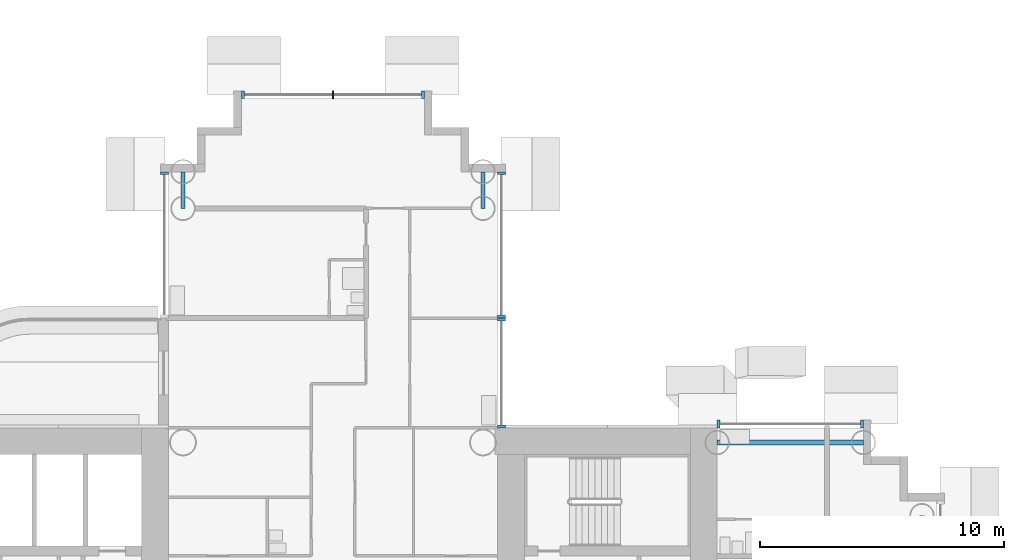
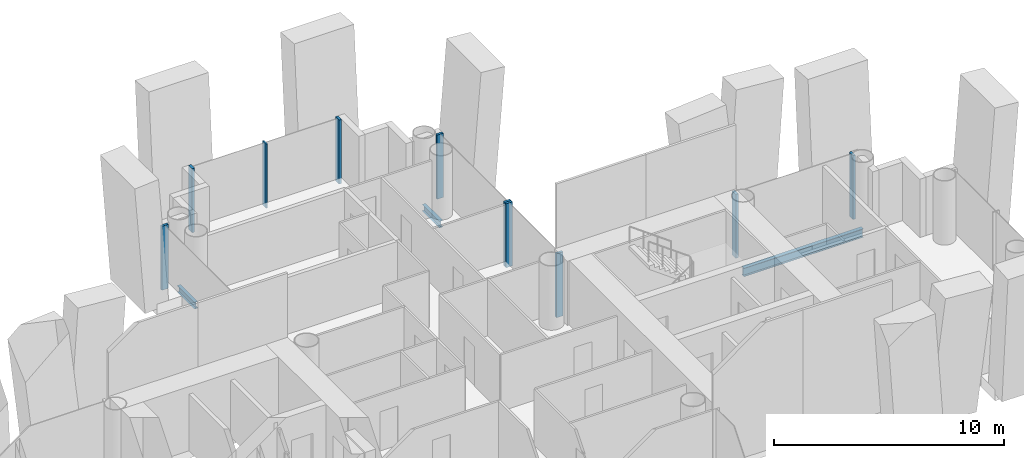
# One storey, part 5 of 25: 10 members, 3 beams, 5 elements without a shape of their own.
"""IFC4 building model written with IfcOpenShell, lengths in metres."""

from ifc_helpers import new_model, si_unit, direction, frame, origin, origin_2d, place, context, subcontext, project, spatial, rectangle, i_section, extrude, material, layer, layer_set, material_profile, profile_set, type_object, element, aggregate, save


model = new_model("IFC4")

# Units and contexts
model_context = context("Model", 3, precision=1e-05, world=origin(), true_north=direction((0.0, 1.0)))
body_context = subcontext(model_context, "Body", "Model", "MODEL_VIEW")
ifc_project = project(units=[si_unit("LENGTHUNIT", "METRE"), si_unit("AREAUNIT", "SQUARE_METRE"), si_unit("VOLUMEUNIT", "CUBIC_METRE"), si_unit("PLANEANGLEUNIT", "RADIAN"), si_unit("MASSUNIT", "GRAM", prefix="KILO")], contexts=[model_context])

# Site, building, storey
site_placement = place(None, origin())
site = spatial("IfcSite", under=ifc_project, at=site_placement, CompositionType="ELEMENT")
building_placement = place(site_placement, origin())
building = spatial("IfcBuilding", under=site, at=building_placement, Name="Ipe Terrace Towers", CompositionType="ELEMENT")
storey_placement = place(building_placement, frame((0.0, 0.0, 58.5)))
storey = spatial("IfcBuildingStorey", under=building, at=storey_placement, Name="L15", CompositionType="ELEMENT", Elevation=58.5)

# Beams
ifc_material_1 = material(Name="Steel S355", Category="steel")
ifc_material_profile_1 = material_profile(ifc_material_1, i_section(OverallWidth=0.175048828125, OverallDepth=0.35009765625, WebThickness=0.007080078125, FlangeThickness=0.010986328125, at=origin_2d()), Name="H-350x175x7x11")
ifc_profile_set_1 = profile_set([ifc_material_profile_1], Name="Steel S355")
beam_type_1 = type_object("IfcBeamType", Name="H04 EDGE BEAM H-350x175x7x11", PredefinedType="BEAM", material=ifc_profile_set_1)
for number, where, z_axis, x_axis, name in (
    (1, (-29.85009765625, 15.75, -0.574951171875), (0.0, 1.0, 0.0), (-1.0, 0.0, 0.0), "Edge beam T1-EB-B03-B05"),
    (2, (-42.14990234375, 15.75, -0.574951171875), (0.0, 1.0, 0.0), (-1.0, 0.0, 0.0), "Edge beam T1-EB-B04-B06"),
):
    element("IfcBeam", number, at=place(storey_placement, frame(where, z_axis=z_axis, x_axis=x_axis)), inside=storey, type_object=beam_type_1, Name=name, PredefinedType="BEAM", context=body_context, shape_type="SweptSolid", body=[
        extrude(i_section(OverallWidth=0.175048828125, OverallDepth=0.35009765625, WebThickness=0.007080078125, FlangeThickness=0.010986328125, at=origin_2d()), origin(), (0.0, 0.0, 1.0), 1.5),
    ])
ifc_material_2 = material(Name="Steel S355", Category="steel")
ifc_material_profile_2 = material_profile(ifc_material_2, i_section(OverallWidth=0.199951171875, OverallDepth=0.449951171875, WebThickness=0.009033203125, FlangeThickness=0.013916015625, at=origin_2d()), Name="H-450x200x9x14")
ifc_profile_set_2 = profile_set([ifc_material_profile_2], Name="Steel S355")
beam_type_2 = type_object("IfcBeamType", Name="H08 EDGE BEAM H-450x200x9x14", PredefinedType="BEAM", material=ifc_profile_set_2)
beam_placement = place(storey_placement, frame((-20.25, 6.14990234375, -0.625), z_axis=(1.0, 0.0, 0.0), x_axis=(0.0, 1.0, 0.0)))
element("IfcBeam", 3, at=beam_placement, inside=storey, type_object=beam_type_2, Name="Edge beam T1-EB-A02-A04", PredefinedType="BEAM", context=body_context, shape_type="SweptSolid", body=[
    extrude(i_section(OverallWidth=0.199951171875, OverallDepth=0.449951171875, WebThickness=0.009033203125, FlangeThickness=0.013916015625, at=origin_2d()), origin(), (0.0, 0.0, 1.0), 6.0),
])

# Curtain wall, members
ifc_material_3 = material(Name="Aluminium alloy 6063-T6", Category="aluminium")
ifc_layer = layer(ifc_material_3, 0.320068359375)
ifc_layer_set = layer_set([ifc_layer], Name="TOWER UNITISED CURTAIN WALL")
curtain_wall_type = type_object("IfcCurtainWallType", Name="TOWER UNITISED CURTAIN WALL", PredefinedType="NOTDEFINED", material=ifc_layer_set)
curtain_wall_1_placement = place(storey_placement, origin())
curtain_wall_1 = element("IfcCurtainWall", 4, at=curtain_wall_1_placement, inside=storey, type_object=curtain_wall_type, Name="T1-CW-L15-30a curtain wall", PredefinedType="NOTDEFINED")
ifc_material_4 = material(Name="Aluminium alloy 6063-T6", Category="aluminium")
ifc_material_profile_3 = material_profile(ifc_material_4, rectangle(XDim=0.320068359375, YDim=0.1201171875, at=origin_2d()), Name="TOWER UNITISED CORNER MULLION 320 x 120")
ifc_profile_set_3 = profile_set([ifc_material_profile_3], Name="Aluminium alloy 6063-T6")
member_type_1 = type_object("IfcMemberType", Name="TOWER UNITISED CORNER MULLION 320 x 120", PredefinedType="MULLION", material=ifc_profile_set_3)
member_1_placement = place(storey_placement, frame((-14.31005859375, 6.909912109375, -0.300048828125), z_axis=(0.0, 0.0, 1.0), x_axis=(0.0, 1.0, 0.0)))
member_1 = element("IfcMember", 5, at=member_1_placement, type_object=member_type_1, Name="T1-CW-L15-30a mullion 1", PredefinedType="MULLION", context=body_context, shape_type="SweptSolid", body=[
    extrude(rectangle(XDim=0.320068359375, YDim=0.1201171875, at=origin_2d()), origin(), (0.0, 0.0, 1.0), 3.400146484375),
])
member_2_placement = place(storey_placement, frame((-20.18896484375, 6.909912109375, -0.300048828125), z_axis=(0.0, 0.0, 1.0), x_axis=(0.0, 1.0, 0.0)))
member_2 = element("IfcMember", 6, at=member_2_placement, type_object=member_type_1, Name="T1-CW-L15-30a mullion 2", PredefinedType="MULLION", context=body_context, shape_type="SweptSolid", body=[
    extrude(rectangle(XDim=0.320068359375, YDim=0.1201171875, at=origin_2d()), origin(), (0.0, 0.0, 1.0), 3.400146484375),
])
aggregate(curtain_wall_1, [member_1, member_2])

curtain_wall_2_placement = place(storey_placement, origin())
curtain_wall_2 = element("IfcCurtainWall", 7, at=curtain_wall_2_placement, inside=storey, type_object=curtain_wall_type, Name="T1-CW-L15-32a curtain wall", PredefinedType="NOTDEFINED")
member_3_placement = place(storey_placement, frame((-29.090087890625, 6.81005859375, -0.300048828125), z_axis=(0.0, 0.0, 1.0), x_axis=(1.0, 0.0, 0.0)))
member_3 = element("IfcMember", 8, at=member_3_placement, type_object=member_type_1, Name="T1-CW-L15-32a mullion 1", PredefinedType="MULLION", context=body_context, shape_type="SweptSolid", body=[
    extrude(rectangle(XDim=0.320068359375, YDim=0.1201171875, at=origin_2d()), origin(), (0.0, 0.0, 1.0), 3.400146484375),
])
member_4_placement = place(storey_placement, frame((-29.090087890625, 11.18994140625, -0.300048828125), z_axis=(0.0, 0.0, 1.0), x_axis=(1.0, 0.0, 0.0)))
member_4 = element("IfcMember", 9, at=member_4_placement, type_object=member_type_1, Name="T1-CW-L15-32a mullion 2", PredefinedType="MULLION", context=body_context, shape_type="SweptSolid", body=[
    extrude(rectangle(XDim=0.320068359375, YDim=0.1201171875, at=origin_2d()), origin(), (0.0, 0.0, 1.0), 3.400146484375),
])
aggregate(curtain_wall_2, [member_3, member_4])

curtain_wall_3_placement = place(storey_placement, origin())
curtain_wall_3 = element("IfcCurtainWall", 10, at=curtain_wall_3_placement, inside=storey, type_object=curtain_wall_type, Name="T1-CW-L15-33a curtain wall", PredefinedType="NOTDEFINED")
member_5_placement = place(storey_placement, frame((-29.090087890625, 11.31005859375, -0.300048828125), z_axis=(0.0, 0.0, 1.0), x_axis=(1.0, 0.0, 0.0)))
member_5 = element("IfcMember", 11, at=member_5_placement, type_object=member_type_1, Name="T1-CW-L15-33a mullion 1", PredefinedType="MULLION", context=body_context, shape_type="SweptSolid", body=[
    extrude(rectangle(XDim=0.320068359375, YDim=0.1201171875, at=origin_2d()), origin(), (0.0, 0.0, 1.0), 3.400146484375),
])
member_6_placement = place(storey_placement, frame((-29.090087890625, 17.18994140625, -0.300048828125), z_axis=(0.0, 0.0, 1.0), x_axis=(1.0, 0.0, 0.0)))
member_6 = element("IfcMember", 12, at=member_6_placement, type_object=member_type_1, Name="T1-CW-L15-33a mullion 2", PredefinedType="MULLION", context=body_context, shape_type="SweptSolid", body=[
    extrude(rectangle(XDim=0.320068359375, YDim=0.1201171875, at=origin_2d()), origin(), (0.0, 0.0, 1.0), 3.400146484375),
])
aggregate(curtain_wall_3, [member_5, member_6])

curtain_wall_4_placement = place(storey_placement, origin())
curtain_wall_4 = element("IfcCurtainWall", 13, at=curtain_wall_4_placement, inside=storey, type_object=curtain_wall_type, Name="T1-CW-L15-38a curtain wall", PredefinedType="NOTDEFINED")
member_7_placement = place(storey_placement, frame((-32.31005859375, 20.409912109375, -0.300048828125), z_axis=(0.0, 0.0, 1.0), x_axis=(0.0, 1.0, 0.0)))
member_7 = element("IfcMember", 14, at=member_7_placement, type_object=member_type_1, Name="T1-CW-L15-38a mullion 1", PredefinedType="MULLION", context=body_context, shape_type="SweptSolid", body=[
    extrude(rectangle(XDim=0.320068359375, YDim=0.1201171875, at=origin_2d()), origin(), (0.0, 0.0, 1.0), 3.400146484375),
])
member_8_placement = place(storey_placement, frame((-39.68994140625, 20.409912109375, -0.300048828125), z_axis=(0.0, 0.0, 1.0), x_axis=(0.0, 1.0, 0.0)))
member_8 = element("IfcMember", 15, at=member_8_placement, type_object=member_type_1, Name="T1-CW-L15-38a mullion 3", PredefinedType="MULLION", context=body_context, shape_type="SweptSolid", body=[
    extrude(rectangle(XDim=0.320068359375, YDim=0.1201171875, at=origin_2d()), origin(), (0.0, 0.0, 1.0), 3.400146484375),
])

# Curtain wall, member
curtain_wall_5_placement = place(storey_placement, origin())
curtain_wall_5 = element("IfcCurtainWall", 16, at=curtain_wall_5_placement, inside=storey, type_object=curtain_wall_type, Name="T1-CW-L15-43a curtain wall", PredefinedType="NOTDEFINED")
member_9_placement = place(storey_placement, frame((-42.909912109375, 17.18994140625, -0.300048828125), z_axis=(0.0, 0.0, 1.0), x_axis=(-1.0, 0.0, 0.0)))
member_9 = element("IfcMember", 17, at=member_9_placement, type_object=member_type_1, Name="T1-CW-L15-43a mullion 1", PredefinedType="MULLION", context=body_context, shape_type="SweptSolid", body=[
    extrude(rectangle(XDim=0.320068359375, YDim=0.1201171875, at=origin_2d()), origin(), (0.0, 0.0, 1.0), 3.400146484375),
])
aggregate(curtain_wall_5, [member_9])

# Member
ifc_material_5 = material(Name="Aluminium alloy 6063-T6", Category="aluminium")
ifc_material_profile_4 = material_profile(ifc_material_5, rectangle(XDim=0.320068359375, YDim=0.06494140625, at=origin_2d()), Name="TOWER UNITISED MULLION 320 x 65")
ifc_profile_set_4 = profile_set([ifc_material_profile_4], Name="Aluminium alloy 6063-T6")
member_type_2 = type_object("IfcMemberType", Name="TOWER UNITISED MULLION 320 x 65", PredefinedType="MULLION", material=ifc_profile_set_4)
member_10_placement = place(storey_placement, frame((-36.0, 20.409912109375, -0.300048828125), z_axis=(0.0, 0.0, 1.0), x_axis=(0.0, 1.0, 0.0)))
member_10 = element("IfcMember", 18, at=member_10_placement, type_object=member_type_2, Name="T1-CW-L15-38a mullion 2", PredefinedType="MULLION", context=body_context, shape_type="SweptSolid", body=[
    extrude(rectangle(XDim=0.320068359375, YDim=0.06494140625, at=origin_2d()), origin(), (0.0, 0.0, 1.0), 3.400146484375),
])

aggregate(curtain_wall_4, [member_7, member_10, member_8])

save(model, "model.ifc")
